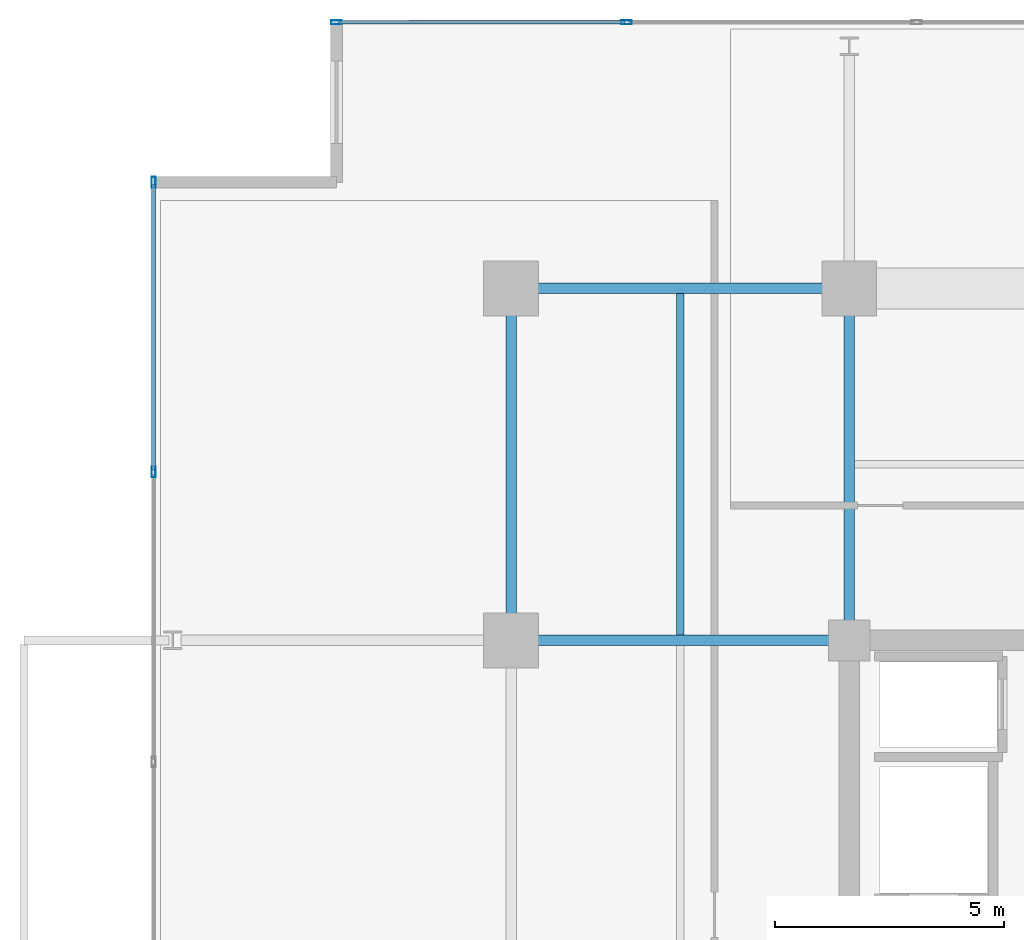
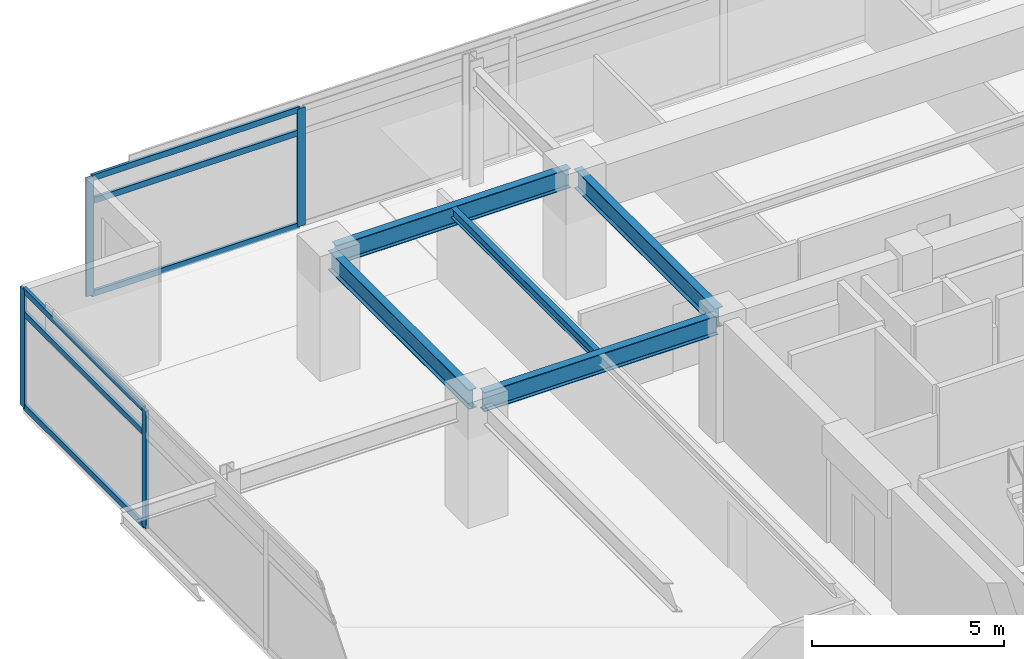
# One storey, part 7 of 23: 10 members, 5 beams, 2 elements without a shape of their own.
"""IFC4 building model written with IfcOpenShell, lengths in metres."""

from ifc_helpers import new_model, si_unit, direction, frame, origin, origin_2d, place, context, subcontext, project, spatial, hollow_rectangle, i_section, extrude, material, material_profile, profile_set, type_object, element, aggregate, save


model = new_model("IFC4")

# Units and contexts
model_context = context("Model", 3, precision=1e-05, world=origin(), true_north=direction((0.0, 1.0)))
body_context = subcontext(model_context, "Body", "Model", "MODEL_VIEW")
ifc_project = project(units=[si_unit("LENGTHUNIT", "METRE"), si_unit("AREAUNIT", "SQUARE_METRE"), si_unit("VOLUMEUNIT", "CUBIC_METRE"), si_unit("PLANEANGLEUNIT", "RADIAN"), si_unit("MASSUNIT", "GRAM", prefix="KILO")], contexts=[model_context])

# Site, building, storey
site_placement = place(None, origin())
site = spatial("IfcSite", under=ifc_project, at=site_placement, CompositionType="ELEMENT")
building_placement = place(site_placement, origin())
building = spatial("IfcBuilding", under=site, at=building_placement, Name="Kovane Verandah Tower", CompositionType="ELEMENT")
storey_placement = place(building_placement, frame((0.0, 0.0, 267.199951171875)))
storey = spatial("IfcBuildingStorey", under=building, at=storey_placement, Name="L62", CompositionType="ELEMENT", Elevation=267.199951171875)

# Beams
ifc_material_1 = material(Name="Steel S355", Category="steel")
ifc_material_profile_1 = material_profile(ifc_material_1, i_section(OverallWidth=0.230224609375, OverallDepth=0.6171875, WebThickness=0.01318359375, FlangeThickness=0.022216796875, FilletRadius=0.0126953125, at=origin_2d()), Name="UB610x229x140")
ifc_profile_set_1 = profile_set([ifc_material_profile_1], Name="Steel S355")
beam_type_1 = type_object("IfcBeamType", Name="BM-UB610x140", PredefinedType="BEAM", material=ifc_profile_set_1)
beam_1_placement = place(storey_placement, frame((21.780029296875, 44.199951171875, 3.4765625), z_axis=(1.0, 0.0, 0.0), x_axis=(0.0, 1.0, 0.0)))
element("IfcBeam", 1, at=beam_1_placement, inside=storey, type_object=beam_type_1, Name="L62 Primary Tower Girder G-RN1", PredefinedType="BEAM", context=body_context, shape_type="SweptSolid", body=[
    extrude(i_section(OverallWidth=0.230224609375, OverallDepth=0.6171875, WebThickness=0.01318359375, FlangeThickness=0.022216796875, FilletRadius=0.0126953125, at=origin_2d()), origin(), (0.0, 0.0, 1.0), 7.0400390625),
])
beam_2_placement = place(storey_placement, frame((21.60009765625, 36.679931640625, 3.4765625), z_axis=(0.0, 1.0, 0.0), x_axis=(-1.0, 0.0, 0.0)))
element("IfcBeam", 2, at=beam_2_placement, inside=storey, type_object=beam_type_1, Name="L62 Primary Tower Girder G-RW3", PredefinedType="BEAM", context=body_context, shape_type="SweptSolid", body=[
    extrude(i_section(OverallWidth=0.230224609375, OverallDepth=0.6171875, WebThickness=0.01318359375, FlangeThickness=0.022216796875, FilletRadius=0.0126953125, at=origin_2d()), origin(), (0.0, 0.0, 1.0), 7.340087890625),
])
beam_3_placement = place(storey_placement, frame((28.820068359375, 36.5, 3.4765625), z_axis=(-1.0, 0.0, 0.0), x_axis=(0.0, -1.0, 0.0)))
element("IfcBeam", 3, at=beam_3_placement, inside=storey, type_object=beam_type_1, Name="L62 Primary Tower Girder G-W2", PredefinedType="BEAM", context=body_context, shape_type="SweptSolid", body=[
    extrude(i_section(OverallWidth=0.230224609375, OverallDepth=0.6171875, WebThickness=0.01318359375, FlangeThickness=0.022216796875, FilletRadius=0.0126953125, at=origin_2d()), origin(), (0.0, 0.0, 1.0), 7.0400390625),
])
beam_4_placement = place(storey_placement, frame((29.0, 36.679931640625, 3.4765625), z_axis=(0.0, 1.0, 0.0), x_axis=(-1.0, 0.0, 0.0)))
element("IfcBeam", 4, at=beam_4_placement, inside=storey, type_object=beam_type_1, Name="L62 Primary Tower Girder G-N1", PredefinedType="BEAM", context=body_context, shape_type="SweptSolid", body=[
    extrude(i_section(OverallWidth=0.230224609375, OverallDepth=0.6171875, WebThickness=0.01318359375, FlangeThickness=0.022216796875, FilletRadius=0.0126953125, at=origin_2d()), origin(), (0.0, 0.0, 1.0), 7.340087890625),
])

# Curtain wall, members
ifc_material_2 = material(Name="Champagne Anodised Aluminium Frame with Low-E Clear Laminated Glass", Category="aluminium")
curtain_wall_type = type_object("IfcCurtainWallType", Name="CW-SYS-05-HIGH", PredefinedType="NOTDEFINED", material=ifc_material_2)
curtain_wall_1_placement = place(storey_placement, origin())
curtain_wall_1 = element("IfcCurtainWall", 5, at=curtain_wall_1_placement, inside=storey, type_object=curtain_wall_type, Name="L62 N Unitised Curtain Wall", PredefinedType="NOTDEFINED")
ifc_material_3 = material(Name="Champagne Anodised Aluminium 6063-T6", Category="aluminium")
ifc_material_profile_2 = material_profile(ifc_material_3, hollow_rectangle(XDim=0.0849609375, YDim=0.22998046875, WallThickness=0.00390625, at=origin_2d()), Name="AL85x230x4")
ifc_profile_set_2 = profile_set([ifc_material_profile_2], Name="Champagne Anodised Aluminium 6063-T6")
member_type_1 = type_object("IfcMemberType", Name="CW-MUL-85x230", PredefinedType="MULLION", material=ifc_profile_set_2)
member_1_placement = place(storey_placement, frame((24.128173828125, 50.0234375, 0.02001953125), z_axis=(0.0, 0.0, 1.0), x_axis=(0.0, 1.0, 0.0)))
member_1 = element("IfcMember", 6, at=member_1_placement, type_object=member_type_1, Name="L62 N Unitised Curtain Wall Mullion 7", PredefinedType="MULLION", context=body_context, shape_type="SweptSolid", body=[
    extrude(hollow_rectangle(XDim=0.0849609375, YDim=0.22998046875, WallThickness=0.00390625, at=origin_2d()), origin(), (0.0, 0.0, 1.0), 3.7451171875),
])
member_2_placement = place(storey_placement, frame((17.779296875, 50.0234375, 0.02001953125), z_axis=(0.0, 0.0, 1.0), x_axis=(0.0, 1.0, 0.0)))
member_2 = element("IfcMember", 7, at=member_2_placement, type_object=member_type_1, Name="L62 N Unitised Curtain Wall Mullion 8", PredefinedType="MULLION", context=body_context, shape_type="SweptSolid", body=[
    extrude(hollow_rectangle(XDim=0.0849609375, YDim=0.22998046875, WallThickness=0.00390625, at=origin_2d()), origin(), (0.0, 0.0, 1.0), 3.7451171875),
])

curtain_wall_2_placement = place(storey_placement, origin())
curtain_wall_2 = element("IfcCurtainWall", 8, at=curtain_wall_2_placement, inside=storey, type_object=curtain_wall_type, Name="L62 W Unitised Curtain Wall", PredefinedType="NOTDEFINED")
member_3_placement = place(storey_placement, frame((13.779296875, 46.5234375, 0.02001953125), z_axis=(0.0, 0.0, 1.0), x_axis=(-1.0, 0.0, 0.0)))
member_3 = element("IfcMember", 9, at=member_3_placement, type_object=member_type_1, Name="L62 W Unitised Curtain Wall Mullion 1", PredefinedType="MULLION", context=body_context, shape_type="SweptSolid", body=[
    extrude(hollow_rectangle(XDim=0.0849609375, YDim=0.22998046875, WallThickness=0.00390625, at=origin_2d()), origin(), (0.0, 0.0, 1.0), 3.7451171875),
])
member_4_placement = place(storey_placement, frame((13.779296875, 40.182373046875, 0.02001953125), z_axis=(0.0, 0.0, 1.0), x_axis=(-1.0, 0.0, 0.0)))
member_4 = element("IfcMember", 10, at=member_4_placement, type_object=member_type_1, Name="L62 W Unitised Curtain Wall Mullion 2", PredefinedType="MULLION", context=body_context, shape_type="SweptSolid", body=[
    extrude(hollow_rectangle(XDim=0.0849609375, YDim=0.22998046875, WallThickness=0.00390625, at=origin_2d()), origin(), (0.0, 0.0, 1.0), 3.7451171875),
])

# Member
ifc_material_profile_3 = material_profile(ifc_material_3, hollow_rectangle(XDim=0.0849609375, YDim=0.18994140625, WallThickness=0.00390625, at=origin_2d()), Name="AL85x190x4")
ifc_profile_set_3 = profile_set([ifc_material_profile_3], Name="Champagne Anodised Aluminium 6063-T6")
member_type_2 = type_object("IfcMemberType", Name="CW-TRN-85x190", PredefinedType="USERDEFINED", material=ifc_profile_set_3)
member_5_placement = place(storey_placement, frame((24.078125, 50.0234375, 0.050048828125), z_axis=(-1.0, 0.0, 0.0), x_axis=(0.0, -1.0, 0.0)))
member_5 = element("IfcMember", 11, at=member_5_placement, type_object=member_type_2, Name="L62 N Unitised Curtain Wall Transom TB Bay 7", ObjectType="TRANSOM", PredefinedType="USERDEFINED", context=body_context, shape_type="SweptSolid", body=[
    extrude(hollow_rectangle(XDim=0.0849609375, YDim=0.18994140625, WallThickness=0.00390625, at=origin_2d()), origin(), (0.0, 0.0, 1.0), 6.248779296875),
])

member_6_placement = place(storey_placement, frame((24.078125, 50.0234375, 3.005126953125), z_axis=(-1.0, 0.0, 0.0), x_axis=(0.0, -1.0, 0.0)))
member_6 = element("IfcMember", 12, at=member_6_placement, type_object=member_type_2, Name="L62 N Unitised Curtain Wall Transom TM Bay 7", ObjectType="TRANSOM", PredefinedType="USERDEFINED", context=body_context, shape_type="SweptSolid", body=[
    extrude(hollow_rectangle(XDim=0.0849609375, YDim=0.18994140625, WallThickness=0.00390625, at=origin_2d()), origin(), (0.0, 0.0, 1.0), 6.248779296875),
])

member_7_placement = place(storey_placement, frame((24.078125, 50.0234375, 3.735107421875), z_axis=(-1.0, 0.0, 0.0), x_axis=(0.0, -1.0, 0.0)))
member_7 = element("IfcMember", 13, at=member_7_placement, type_object=member_type_2, Name="L62 N Unitised Curtain Wall Transom TT Bay 7", ObjectType="TRANSOM", PredefinedType="USERDEFINED", context=body_context, shape_type="SweptSolid", body=[
    extrude(hollow_rectangle(XDim=0.0849609375, YDim=0.18994140625, WallThickness=0.00390625, at=origin_2d()), origin(), (0.0, 0.0, 1.0), 6.248779296875),
])

aggregate(curtain_wall_1, [member_1, member_2, member_5, member_6, member_7])

member_8_placement = place(storey_placement, frame((13.779296875, 46.473388671875, 0.050048828125), z_axis=(0.0, -1.0, 0.0), x_axis=(1.0, 0.0, 0.0)))
member_8 = element("IfcMember", 14, at=member_8_placement, type_object=member_type_2, Name="L62 W Unitised Curtain Wall Transom TB Bay 1", ObjectType="TRANSOM", PredefinedType="USERDEFINED", context=body_context, shape_type="SweptSolid", body=[
    extrude(hollow_rectangle(XDim=0.0849609375, YDim=0.18994140625, WallThickness=0.00390625, at=origin_2d()), origin(), (0.0, 0.0, 1.0), 6.240966796875),
])

member_9_placement = place(storey_placement, frame((13.779296875, 46.473388671875, 3.005126953125), z_axis=(0.0, -1.0, 0.0), x_axis=(1.0, 0.0, 0.0)))
member_9 = element("IfcMember", 15, at=member_9_placement, type_object=member_type_2, Name="L62 W Unitised Curtain Wall Transom TM Bay 1", ObjectType="TRANSOM", PredefinedType="USERDEFINED", context=body_context, shape_type="SweptSolid", body=[
    extrude(hollow_rectangle(XDim=0.0849609375, YDim=0.18994140625, WallThickness=0.00390625, at=origin_2d()), origin(), (0.0, 0.0, 1.0), 6.240966796875),
])

member_10_placement = place(storey_placement, frame((13.779296875, 46.473388671875, 3.735107421875), z_axis=(0.0, -1.0, 0.0), x_axis=(1.0, 0.0, 0.0)))
member_10 = element("IfcMember", 16, at=member_10_placement, type_object=member_type_2, Name="L62 W Unitised Curtain Wall Transom TT Bay 1", ObjectType="TRANSOM", PredefinedType="USERDEFINED", context=body_context, shape_type="SweptSolid", body=[
    extrude(hollow_rectangle(XDim=0.0849609375, YDim=0.18994140625, WallThickness=0.00390625, at=origin_2d()), origin(), (0.0, 0.0, 1.0), 6.240966796875),
])

aggregate(curtain_wall_2, [member_3, member_4, member_8, member_9, member_10])

# Beam
ifc_material_profile_4 = material_profile(ifc_material_1, i_section(OverallWidth=0.1669921875, OverallDepth=0.310302734375, WebThickness=0.0078125, FlangeThickness=0.013671875, FilletRadius=0.0087890625, at=origin_2d()), Name="UB305x165x54")
ifc_profile_set_4 = profile_set([ifc_material_profile_4], Name="Steel S355")
beam_type_2 = type_object("IfcBeamType", Name="JST-UB305x54", PredefinedType="JOIST", material=ifc_profile_set_4)
beam_5_placement = place(storey_placement, frame((25.300048828125, 36.613037109375, 3.6298828125), z_axis=(0.0, 1.0, 0.0), x_axis=(-1.0, 0.0, 0.0)))
element("IfcBeam", 17, at=beam_5_placement, inside=storey, type_object=beam_type_2, Name="L62 Secondary Composite Joist J-NW1", PredefinedType="JOIST", context=body_context, shape_type="SweptSolid", body=[
    extrude(i_section(OverallWidth=0.1669921875, OverallDepth=0.310302734375, WebThickness=0.0078125, FlangeThickness=0.013671875, FilletRadius=0.0087890625, at=origin_2d()), origin(), (0.0, 0.0, 1.0), 7.473876953125),
])

save(model, "model.ifc")
